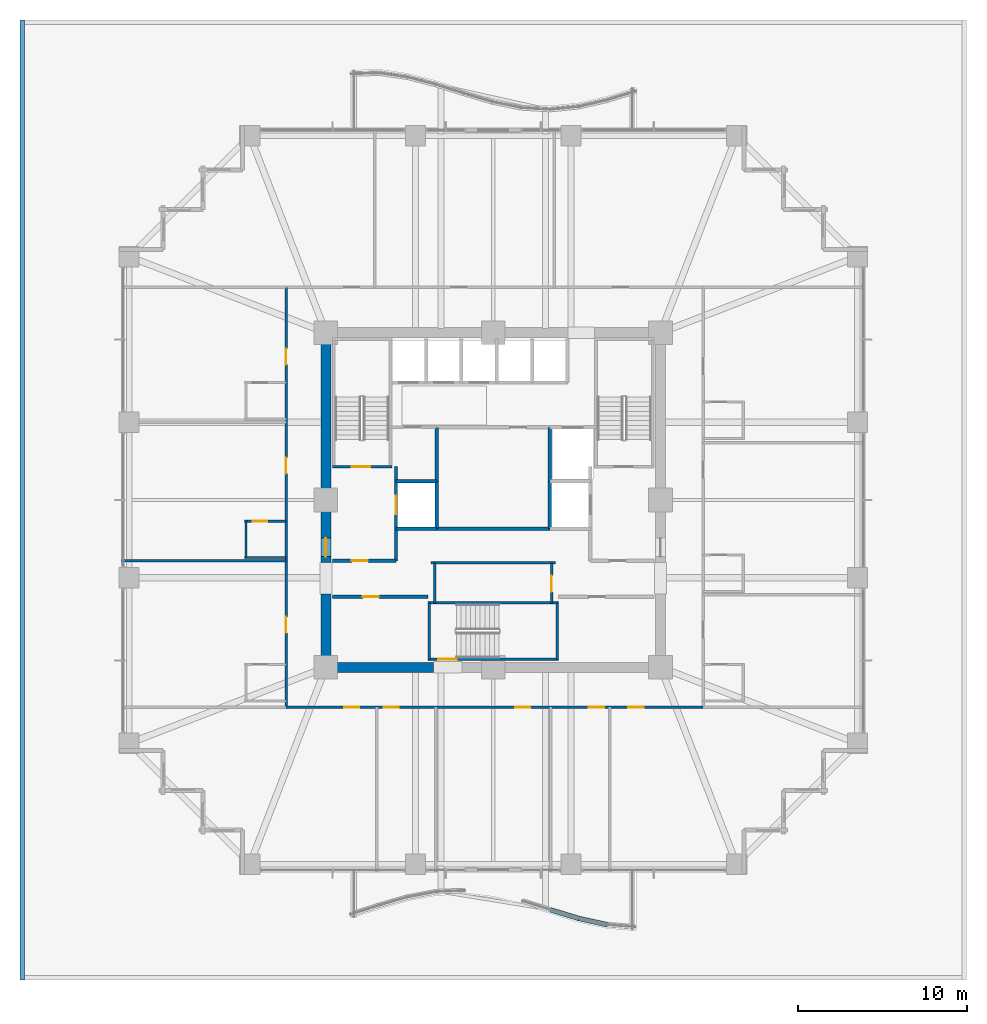
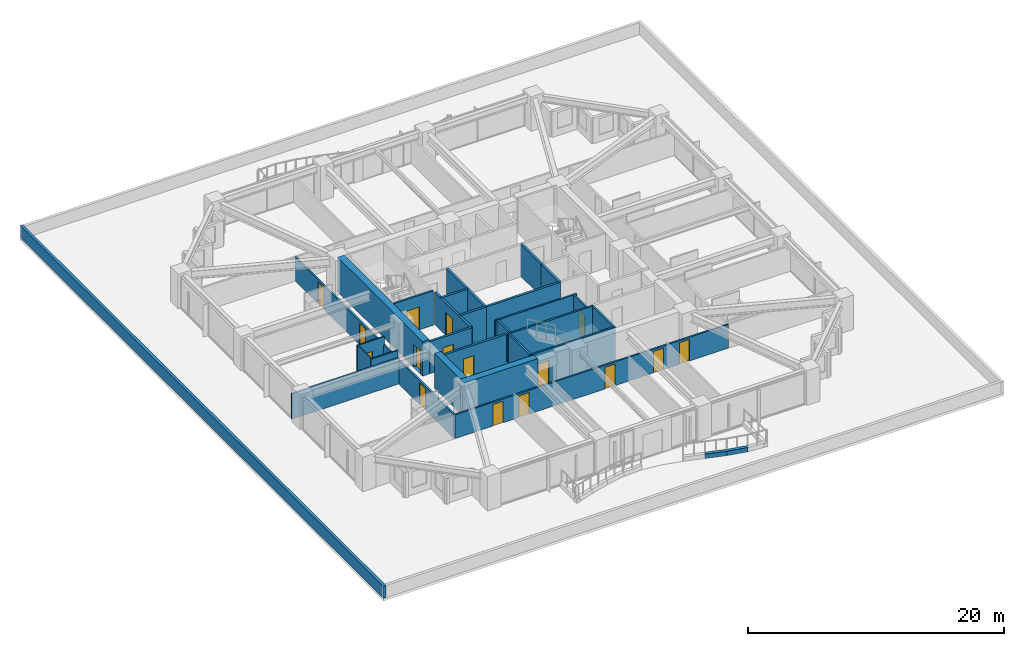
# One storey, part 31 of 36: 30 walls, 16 doors, 16 openings.
"""IFC4 building model written with IfcOpenShell, lengths in metres."""

from ifc_helpers import new_model, si_unit, direction, frame, frame_2d, origin, place, context, subcontext, project, spatial, rectangle, extrude, material, layer, layer_set, type_object, element, fill, save


model = new_model("IFC4")

# Units and contexts
model_context = context("Model", 3, precision=1e-05, world=origin(), true_north=direction((0.0, 1.0)))
body_context = subcontext(model_context, "Body", "Model", "MODEL_VIEW")
ifc_project = project(units=[si_unit("LENGTHUNIT", "METRE"), si_unit("AREAUNIT", "SQUARE_METRE"), si_unit("VOLUMEUNIT", "CUBIC_METRE"), si_unit("PLANEANGLEUNIT", "RADIAN"), si_unit("MASSUNIT", "GRAM", prefix="KILO")], contexts=[model_context])

# Site, building, storey
site_placement = place(None, origin())
site = spatial("IfcSite", under=ifc_project, at=site_placement, CompositionType="ELEMENT")
building_placement = place(site_placement, origin())
building = spatial("IfcBuilding", under=site, at=building_placement, Name="Kolvaren Belvedere", CompositionType="ELEMENT")
storey_placement = place(building_placement, frame((0.0, 0.0, 23.800048828125)))
storey = spatial("IfcBuildingStorey", under=building, at=storey_placement, Name="L06", CompositionType="ELEMENT", Elevation=23.800048828125)

# Walls
ifc_material_1 = material(Name="Concrete C60/75", Category="concrete")
ifc_layer_1 = layer(ifc_material_1, 0.60009765625)
ifc_layer_set_1 = layer_set([ifc_layer_1], Name="Concrete C60/75")
wall_type_1 = type_object("IfcWallType", Name="CW-CORE-600", PredefinedType="SHEAR", material=ifc_layer_set_1)
wall_1_placement = place(storey_placement, frame((-3.5400390625, -9.89990234375, 0.0), z_axis=(0.0, 0.0, 1.0), x_axis=(-1.0, 0.0, 0.0)))
element("IfcWall", 1, at=wall_1_placement, inside=storey, type_object=wall_type_1, Name="L06 South Core Shear Wall 2", PredefinedType="SHEAR", context=body_context, shape_type="SweptSolid", body=[
    extrude(rectangle(XDim=6.659912109375, YDim=0.60009765625, at=frame_2d((3.330078125, 0.0))), origin(), (0.0, 0.0, 1.0), 3.300048828125),
])
wall_2_placement = place(storey_placement, frame((-9.89990234375, -9.60009765625, 0.0), z_axis=(0.0, 0.0, 1.0), x_axis=(0.0, 1.0, 0.0)))
element("IfcWall", 2, at=wall_2_placement, inside=storey, type_object=wall_type_1, Name="L06 West Core Shear Wall 1", PredefinedType="SHEAR", context=body_context, shape_type="SweptSolid", body=[
    extrude(rectangle(XDim=4.050048828125, YDim=0.60009765625, at=frame_2d((2.02490234375, 0.0))), origin(), (0.0, 0.0, 1.0), 3.300048828125),
])

# Wall, opening, door
wall_3_placement = place(storey_placement, frame((-9.89990234375, -3.699951171875, 0.0), z_axis=(0.0, 0.0, 1.0), x_axis=(0.0, 1.0, 0.0)))
wall_3 = element("IfcWall", 3, at=wall_3_placement, inside=storey, type_object=wall_type_1, Name="L06 West Core Shear Wall 2", PredefinedType="SHEAR", context=body_context, shape_type="SweptSolid", body=[
    extrude(rectangle(XDim=13.300048828125, YDim=0.60009765625, at=frame_2d((6.64990234375, 0.0))), origin(), (0.0, 0.0, 1.0), 3.300048828125),
])
opening_1_placement = place(wall_3_placement, frame((0.35009765625, 0.0, 0.0)))
opening_1 = element("IfcOpeningElement", 4, at=opening_1_placement, cuts=wall_3, Name="Opening D-FD90", PredefinedType="OPENING", context=body_context, shape_type="SweptSolid", body=[
    extrude(rectangle(XDim=1.10009765625, YDim=2.199951171875, at=frame_2d((0.550048828125, 1.10009765625))), frame((0.0, 0.31005859375, 0.0), z_axis=(0.0, -1.0, 0.0), x_axis=(1.0, 0.0, 0.0)), (0.0, 0.0, 1.0), 0.6201171875),
])
ifc_material_2 = material(Name="Painted hollow stainless steel", Category="steel")
door_type_1 = type_object("IfcDoorType", Name="DR-FD90-1100", OperationType="NOTDEFINED", PredefinedType="DOOR", material=ifc_material_2)
door_1_placement = place(opening_1_placement, origin())
door_1 = element("IfcDoor", 5, at=door_1_placement, inside=storey, type_object=door_type_1, Name="L06 West Firefighting Lobby Fire Door", OperationType="SINGLE_SWING_LEFT", OverallHeight=2.199951171875, OverallWidth=1.10009765625, PredefinedType="DOOR", context=body_context, shape_type="SweptSolid", body=[
    extrude(rectangle(XDim=1.10009765625, YDim=2.199951171875, at=frame_2d((0.550048828125, 1.10009765625))), frame((0.0, 0.02490234375, 0.0), z_axis=(0.0, -1.0, 0.0), x_axis=(1.0, 0.0, 0.0)), (0.0, 0.0, 1.0), 0.050048828125),
])
fill(opening_1, door_1)

ifc_material_3 = material(Name="Concrete C50/60", Category="concrete")
ifc_layer_2 = layer(ifc_material_3, 0.159912109375)
ifc_layer_set_2 = layer_set([ifc_layer_2], Name="Concrete C50/60")
wall_type_2 = type_object("IfcWallType", Name="CW-STAIR-160", PredefinedType="SHEAR", material=ifc_layer_set_2)
wall_4_placement = place(storey_placement, frame((-9.52001953125, 1.969970703125, 0.0), z_axis=(0.0, 0.0, 1.0), x_axis=(1.0, 0.0, 0.0)))
wall_4 = element("IfcWall", 6, at=wall_4_placement, inside=storey, type_object=wall_type_2, Name="L06 Stair ST-1 South Shear Wall", PredefinedType="SHEAR", context=body_context, shape_type="SweptSolid", body=[
    extrude(rectangle(XDim=3.52001953125, YDim=0.159912109375, at=frame_2d((1.760009765625, 0.0))), origin(), (0.0, 0.0, 1.0), 3.300048828125),
])
opening_2_placement = place(wall_4_placement, frame((1.14990234375, 0.0, 0.0)))
opening_2 = element("IfcOpeningElement", 7, at=opening_2_placement, cuts=wall_4, Name="Opening D-FD90", PredefinedType="OPENING", context=body_context, shape_type="SweptSolid", body=[
    extrude(rectangle(XDim=1.10009765625, YDim=2.199951171875, at=frame_2d((0.550048828125, 1.10009765625))), frame((0.0, 0.08984375, 0.0), z_axis=(0.0, -1.0, 0.0), x_axis=(1.0, 0.0, 0.0)), (0.0, 0.0, 1.0), 0.179931640625),
])
door_2_placement = place(opening_2_placement, origin())
door_2 = element("IfcDoor", 8, at=door_2_placement, inside=storey, type_object=door_type_1, Name="L06 Stair ST-1 Fire Door", OperationType="SINGLE_SWING_LEFT", OverallHeight=2.199951171875, OverallWidth=1.10009765625, PredefinedType="DOOR", context=body_context, shape_type="SweptSolid", body=[
    extrude(rectangle(XDim=1.10009765625, YDim=2.199951171875, at=frame_2d((0.550048828125, 1.10009765625))), frame((0.0, 0.02490234375, 0.0), z_axis=(0.0, -1.0, 0.0), x_axis=(1.0, 0.0, 0.0)), (0.0, 0.0, 1.0), 0.050048828125),
])
fill(opening_2, door_2)

wall_5_placement = place(storey_placement, frame((3.860107421875, -9.429931640625, 0.0), z_axis=(0.0, 0.0, 1.0), x_axis=(-1.0, 0.0, 0.0)))
wall_5 = element("IfcWall", 9, at=wall_5_placement, inside=storey, type_object=wall_type_2, Name="L06 Stair ST-3 South Shear Wall", PredefinedType="SHEAR", context=body_context, shape_type="SweptSolid", body=[
    extrude(rectangle(XDim=7.72021484375, YDim=0.159912109375, at=frame_2d((3.860107421875, 0.0))), origin(), (0.0, 0.0, 1.0), 3.300048828125),
])
opening_3_placement = place(wall_5_placement, frame((6.010009765625, 0.0, 0.0)))
opening_3 = element("IfcOpeningElement", 10, at=opening_3_placement, cuts=wall_5, Name="Opening D-FD90", PredefinedType="OPENING", context=body_context, shape_type="SweptSolid", body=[
    extrude(rectangle(XDim=1.10009765625, YDim=2.199951171875, at=frame_2d((0.550048828125, 1.10009765625))), frame((0.0, 0.08984375, 0.0), z_axis=(0.0, -1.0, 0.0), x_axis=(1.0, 0.0, 0.0)), (0.0, 0.0, 1.0), 0.179931640625),
])
door_3_placement = place(opening_3_placement, origin())
door_3 = element("IfcDoor", 11, at=door_3_placement, inside=storey, type_object=door_type_1, Name="L06 Stair ST-3 Exit Door", OperationType="SINGLE_SWING_RIGHT", OverallHeight=2.199951171875, OverallWidth=1.10009765625, PredefinedType="DOOR", context=body_context, shape_type="SweptSolid", body=[
    extrude(rectangle(XDim=1.10009765625, YDim=2.199951171875, at=frame_2d((0.550048828125, 1.10009765625))), frame((0.0, 0.02490234375, 0.0), z_axis=(0.0, -1.0, 0.0), x_axis=(1.0, 0.0, 0.0)), (0.0, 0.0, 1.0), 0.050048828125),
])
fill(opening_3, door_3)

# Walls
wall_6_placement = place(storey_placement, frame((-3.860107421875, -6.080078125, 0.0), z_axis=(0.0, 0.0, 1.0), x_axis=(1.0, 0.0, 0.0)))
element("IfcWall", 12, at=wall_6_placement, inside=storey, type_object=wall_type_2, Name="L06 Stair ST-3 North Shear Wall", PredefinedType="SHEAR", context=body_context, shape_type="SweptSolid", body=[
    extrude(rectangle(XDim=7.72021484375, YDim=0.159912109375, at=frame_2d((3.860107421875, 0.0))), origin(), (0.0, 0.0, 1.0), 3.300048828125),
])
for number, where, z_axis, x_axis, name in (
    (13, (-3.780029296875, -9.429931640625, 0.0), (0.0, 0.0, 1.0), (0.0, 1.0, 0.0), "L06 Stair ST-3 West Shear Wall"),
    (14, (3.780029296875, -9.429931640625, 0.0), (0.0, 0.0, 1.0), (0.0, 1.0, 0.0), "L06 Stair ST-3 East Shear Wall"),
):
    element("IfcWall", number, at=place(storey_placement, frame(where, z_axis=z_axis, x_axis=x_axis)), inside=storey, type_object=wall_type_2, Name=name, PredefinedType="SHEAR", context=body_context, shape_type="SweptSolid", body=[
        extrude(rectangle(XDim=3.349853515625, YDim=0.159912109375, at=frame_2d((1.6748046875, 0.0))), origin(), (0.0, 0.0, 1.0), 3.300048828125),
    ])

# Wall, openings, doors
ifc_material_4 = material(Name="Gypsum fire-rated partition assembly", Category="gypsum")
ifc_layer_3 = layer(ifc_material_4, 0.14990234375)
ifc_layer_set_3 = layer_set([ifc_layer_3], Name="Gypsum fire-rated partition assembly")
wall_type_3 = type_object("IfcWallType", Name="WL-CORR-150", PredefinedType="PARTITIONING", material=ifc_layer_set_3)
wall_7_placement = place(storey_placement, frame((-12.260009765625, -12.260009765625, 0.0), z_axis=(0.0, 0.0, 1.0), x_axis=(1.0, 0.0, 0.0)))
wall_7 = element("IfcWall", 15, at=wall_7_placement, inside=storey, type_object=wall_type_3, Name="L06 South Corridor Wall", PredefinedType="PARTITIONING", context=body_context, shape_type="SweptSolid", body=[
    extrude(rectangle(XDim=24.679931640625, YDim=0.14990234375, at=frame_2d((12.33984375, 0.0))), origin(), (0.0, 0.0, 1.0), 2.27197265625),
])
opening_4_placement = place(wall_7_placement, frame((3.4443359375, 0.0, 0.0)))
opening_4 = element("IfcOpeningElement", 16, at=opening_4_placement, cuts=wall_7, Name="Opening D-INT90", PredefinedType="OPENING", context=body_context, shape_type="SweptSolid", body=[
    extrude(rectangle(XDim=0.89990234375, YDim=2.06005859375, at=frame_2d((0.449951171875, 1.030029296875))), frame((0.0, 0.0849609375, 0.0), z_axis=(0.0, -1.0, 0.0), x_axis=(1.0, 0.0, 0.0)), (0.0, 0.0, 1.0), 0.169921875),
])
opening_5_placement = place(wall_7_placement, frame((5.779296875, 0.0, 0.0)))
opening_5 = element("IfcOpeningElement", 17, at=opening_5_placement, cuts=wall_7, Name="Opening D-INT90", PredefinedType="OPENING", context=body_context, shape_type="SweptSolid", body=[
    extrude(rectangle(XDim=0.89990234375, YDim=2.06005859375, at=frame_2d((0.449951171875, 1.030029296875))), frame((0.0, 0.0849609375, 0.0), z_axis=(0.0, -1.0, 0.0), x_axis=(1.0, 0.0, 0.0)), (0.0, 0.0, 1.0), 0.169921875),
])
opening_6_placement = place(wall_7_placement, frame((13.551025390625, 0.0, 0.0)))
opening_6 = element("IfcOpeningElement", 18, at=opening_6_placement, cuts=wall_7, Name="Opening D-INT90", PredefinedType="OPENING", context=body_context, shape_type="SweptSolid", body=[
    extrude(rectangle(XDim=0.89990234375, YDim=2.06005859375, at=frame_2d((0.449951171875, 1.030029296875))), frame((0.0, 0.0849609375, 0.0), z_axis=(0.0, -1.0, 0.0), x_axis=(1.0, 0.0, 0.0)), (0.0, 0.0, 1.0), 0.169921875),
])
opening_7_placement = place(wall_7_placement, frame((17.920654296875, 0.0, 0.0)))
opening_7 = element("IfcOpeningElement", 19, at=opening_7_placement, cuts=wall_7, Name="Opening D-INT90", PredefinedType="OPENING", context=body_context, shape_type="SweptSolid", body=[
    extrude(rectangle(XDim=0.89990234375, YDim=2.06005859375, at=frame_2d((0.449951171875, 1.030029296875))), frame((0.0, 0.0849609375, 0.0), z_axis=(0.0, -1.0, 0.0), x_axis=(1.0, 0.0, 0.0)), (0.0, 0.0, 1.0), 0.169921875),
])
opening_8_placement = place(wall_7_placement, frame((20.255615234375, 0.0, 0.0)))
opening_8 = element("IfcOpeningElement", 20, at=opening_8_placement, cuts=wall_7, Name="Opening D-INT90", PredefinedType="OPENING", context=body_context, shape_type="SweptSolid", body=[
    extrude(rectangle(XDim=0.89990234375, YDim=2.06005859375, at=frame_2d((0.449951171875, 1.030029296875))), frame((0.0, 0.0849609375, 0.0), z_axis=(0.0, -1.0, 0.0), x_axis=(1.0, 0.0, 0.0)), (0.0, 0.0, 1.0), 0.169921875),
])
ifc_material_5 = material(Name="Stained Pacific white oak", Category="timber")
door_type_2 = type_object("IfcDoorType", Name="DR-INT-900", OperationType="NOTDEFINED", PredefinedType="DOOR", material=ifc_material_5)
door_4_placement = place(opening_4_placement, origin())
door_4 = element("IfcDoor", 21, at=door_4_placement, inside=storey, type_object=door_type_2, Name="L06 Lounge 601 Door", OperationType="SINGLE_SWING_LEFT", OverallHeight=2.06005859375, OverallWidth=0.89990234375, PredefinedType="DOOR", context=body_context, shape_type="SweptSolid", body=[
    extrude(rectangle(XDim=0.89990234375, YDim=2.06005859375, at=frame_2d((0.449951171875, 1.030029296875))), frame((0.0, 0.02490234375, 0.0), z_axis=(0.0, -1.0, 0.0), x_axis=(1.0, 0.0, 0.0)), (0.0, 0.0, 1.0), 0.050048828125),
])
fill(opening_4, door_4)
door_5_placement = place(opening_5_placement, origin())
door_5 = element("IfcDoor", 22, at=door_5_placement, inside=storey, type_object=door_type_2, Name="L06 Guest Tea & Espresso Kitchen 602 Door", OperationType="SINGLE_SWING_RIGHT", OverallHeight=2.06005859375, OverallWidth=0.89990234375, PredefinedType="DOOR", context=body_context, shape_type="SweptSolid", body=[
    extrude(rectangle(XDim=0.89990234375, YDim=2.06005859375, at=frame_2d((0.449951171875, 1.030029296875))), frame((0.0, 0.02490234375, 0.0), z_axis=(0.0, -1.0, 0.0), x_axis=(1.0, 0.0, 0.0)), (0.0, 0.0, 1.0), 0.050048828125),
])
fill(opening_5, door_5)
door_6_placement = place(opening_6_placement, origin())
door_6 = element("IfcDoor", 23, at=door_6_placement, inside=storey, type_object=door_type_2, Name="L06 Private Hospitality Meeting Room 603 Door", OperationType="SINGLE_SWING_LEFT", OverallHeight=2.06005859375, OverallWidth=0.89990234375, PredefinedType="DOOR", context=body_context, shape_type="SweptSolid", body=[
    extrude(rectangle(XDim=0.89990234375, YDim=2.06005859375, at=frame_2d((0.449951171875, 1.030029296875))), frame((0.0, 0.02490234375, 0.0), z_axis=(0.0, -1.0, 0.0), x_axis=(1.0, 0.0, 0.0)), (0.0, 0.0, 1.0), 0.050048828125),
])
fill(opening_6, door_6)
door_7_placement = place(opening_7_placement, origin())
door_7 = element("IfcDoor", 24, at=door_7_placement, inside=storey, type_object=door_type_2, Name="L06 Botanical Reading Salon 604 Door", OperationType="SINGLE_SWING_RIGHT", OverallHeight=2.06005859375, OverallWidth=0.89990234375, PredefinedType="DOOR", context=body_context, shape_type="SweptSolid", body=[
    extrude(rectangle(XDim=0.89990234375, YDim=2.06005859375, at=frame_2d((0.449951171875, 1.030029296875))), frame((0.0, 0.02490234375, 0.0), z_axis=(0.0, -1.0, 0.0), x_axis=(1.0, 0.0, 0.0)), (0.0, 0.0, 1.0), 0.050048828125),
])
fill(opening_7, door_7)
door_8_placement = place(opening_8_placement, origin())
door_8 = element("IfcDoor", 25, at=door_8_placement, inside=storey, type_object=door_type_2, Name="L06 Lounge 605 Door", OperationType="SINGLE_SWING_LEFT", OverallHeight=2.06005859375, OverallWidth=0.89990234375, PredefinedType="DOOR", context=body_context, shape_type="SweptSolid", body=[
    extrude(rectangle(XDim=0.89990234375, YDim=2.06005859375, at=frame_2d((0.449951171875, 1.030029296875))), frame((0.0, 0.02490234375, 0.0), z_axis=(0.0, -1.0, 0.0), x_axis=(1.0, 0.0, 0.0)), (0.0, 0.0, 1.0), 0.050048828125),
])
fill(opening_8, door_8)

wall_8_placement = place(storey_placement, frame((-12.260009765625, -12.260009765625, 0.0), z_axis=(0.0, 0.0, 1.0), x_axis=(0.0, 1.0, 0.0)))
wall_8 = element("IfcWall", 26, at=wall_8_placement, inside=storey, type_object=wall_type_3, Name="L06 West Corridor Wall", PredefinedType="PARTITIONING", context=body_context, shape_type="SweptSolid", body=[
    extrude(rectangle(XDim=24.840087890625, YDim=0.14990234375, at=frame_2d((12.419921875, 0.0))), origin(), (0.0, 0.0, 1.0), 2.27197265625),
])
opening_9_placement = place(wall_8_placement, frame((4.39453125, 0.0, 0.0)))
opening_9 = element("IfcOpeningElement", 27, at=opening_9_placement, cuts=wall_8, Name="Opening D-FD60", PredefinedType="OPENING", context=body_context, shape_type="SweptSolid", body=[
    extrude(rectangle(XDim=0.949951171875, YDim=2.06005859375, at=frame_2d((0.47509765625, 1.030029296875))), frame((0.0, 0.0849609375, 0.0), z_axis=(0.0, -1.0, 0.0), x_axis=(1.0, 0.0, 0.0)), (0.0, 0.0, 1.0), 0.169921875),
])
opening_10_placement = place(wall_8_placement, frame((13.81494140625, 0.0, 0.0)))
opening_10 = element("IfcOpeningElement", 28, at=opening_10_placement, cuts=wall_8, Name="Opening D-FD60", PredefinedType="OPENING", context=body_context, shape_type="SweptSolid", body=[
    extrude(rectangle(XDim=0.949951171875, YDim=2.06005859375, at=frame_2d((0.47509765625, 1.030029296875))), frame((0.0, 0.0849609375, 0.0), z_axis=(0.0, -1.0, 0.0), x_axis=(1.0, 0.0, 0.0)), (0.0, 0.0, 1.0), 0.169921875),
])
opening_11_placement = place(wall_8_placement, frame((20.267578125, 0.0, 0.0)))
opening_11 = element("IfcOpeningElement", 29, at=opening_11_placement, cuts=wall_8, Name="Opening D-FD60", PredefinedType="OPENING", context=body_context, shape_type="SweptSolid", body=[
    extrude(rectangle(XDim=0.949951171875, YDim=2.06005859375, at=frame_2d((0.47509765625, 1.030029296875))), frame((0.0, 0.0849609375, 0.0), z_axis=(0.0, -1.0, 0.0), x_axis=(1.0, 0.0, 0.0)), (0.0, 0.0, 1.0), 0.169921875),
])
ifc_material_6 = material(Name="Acoustic white-oak fire door leaf", Category="timber")
door_type_3 = type_object("IfcDoorType", Name="DR-FD60-950", OperationType="NOTDEFINED", PredefinedType="DOOR", material=ifc_material_6)
door_9_placement = place(opening_9_placement, origin())
door_9 = element("IfcDoor", 30, at=door_9_placement, inside=storey, type_object=door_type_3, Name="L06 Panoramic Corner Hospitality Suite 609 Entry Door", OperationType="SINGLE_SWING_LEFT", OverallHeight=2.06005859375, OverallWidth=0.949951171875, PredefinedType="DOOR", context=body_context, shape_type="SweptSolid", body=[
    extrude(rectangle(XDim=0.949951171875, YDim=2.06005859375, at=frame_2d((0.47509765625, 1.030029296875))), frame((0.0, 0.02490234375, 0.0), z_axis=(0.0, -1.0, 0.0), x_axis=(1.0, 0.0, 0.0)), (0.0, 0.0, 1.0), 0.050048828125),
])
fill(opening_9, door_9)
door_10_placement = place(opening_10_placement, origin())
door_10 = element("IfcDoor", 31, at=door_10_placement, inside=storey, type_object=door_type_3, Name="L06 Panoramic Corner Hospitality Suite 610 Entry Door", OperationType="SINGLE_SWING_LEFT", OverallHeight=2.06005859375, OverallWidth=0.949951171875, PredefinedType="DOOR", context=body_context, shape_type="SweptSolid", body=[
    extrude(rectangle(XDim=0.949951171875, YDim=2.06005859375, at=frame_2d((0.47509765625, 1.030029296875))), frame((0.0, 0.02490234375, 0.0), z_axis=(0.0, -1.0, 0.0), x_axis=(1.0, 0.0, 0.0)), (0.0, 0.0, 1.0), 0.050048828125),
])
fill(opening_10, door_10)
door_11_placement = place(opening_11_placement, origin())
door_11 = element("IfcDoor", 32, at=door_11_placement, inside=storey, type_object=door_type_3, Name="L06 Panoramic Corner Hospitality Suite 611 Entry Door", OperationType="SINGLE_SWING_LEFT", OverallHeight=2.06005859375, OverallWidth=0.949951171875, PredefinedType="DOOR", context=body_context, shape_type="SweptSolid", body=[
    extrude(rectangle(XDim=0.949951171875, YDim=2.06005859375, at=frame_2d((0.47509765625, 1.030029296875))), frame((0.0, 0.02490234375, 0.0), z_axis=(0.0, -1.0, 0.0), x_axis=(1.0, 0.0, 0.0)), (0.0, 0.0, 1.0), 0.050048828125),
])
fill(opening_11, door_11)

# Walls
ifc_material_7 = material(Name="Precast concrete C40/50", Category="concrete")
ifc_layer_4 = layer(ifc_material_7, 0.25)
ifc_layer_set_4 = layer_set([ifc_layer_4], Name="Precast concrete C40/50")
wall_type_4 = type_object("IfcWallType", Name="WL-PARAPET-250", PredefinedType="PARAPET", material=ifc_layer_set_4)
wall_9_placement = place(storey_placement, frame((-27.8701171875, -28.39990234375, 0.0), z_axis=(0.0, 0.0, 1.0), x_axis=(0.0, 1.0, 0.0)))
element("IfcWall", 33, at=wall_9_placement, inside=storey, type_object=wall_type_4, Name="L06 Podium Setback Roof Parapet 4", PredefinedType="PARAPET", context=body_context, shape_type="SweptSolid", body=[
    extrude(rectangle(XDim=56.7998046875, YDim=0.25, at=frame_2d((28.39990234375, 0.0))), origin(), (0.0, 0.0, 1.0), 1.14990234375),
])
ifc_material_8 = material(Name="Gypsum acoustic partition assembly", Category="gypsum")
ifc_layer_5 = layer(ifc_material_8, 0.14990234375)
ifc_layer_set_5 = layer_set([ifc_layer_5], Name="Gypsum acoustic partition assembly")
wall_type_5 = type_object("IfcWallType", Name="WL-PART-150", PredefinedType="PARTITIONING", material=ifc_layer_set_5)
wall_10_placement = place(storey_placement, frame((-3.679931640625, -3.719970703125, 0.0), z_axis=(0.0, 0.0, 1.0), x_axis=(1.0, 0.0, 0.0)))
element("IfcWall", 34, at=wall_10_placement, inside=storey, type_object=wall_type_5, Name="L06 South Core Service North Wall", PredefinedType="PARTITIONING", context=body_context, shape_type="SweptSolid", body=[
    extrude(rectangle(XDim=7.35986328125, YDim=0.14990234375, at=frame_2d((3.679931640625, 0.0))), origin(), (0.0, 0.0, 1.0), 3.06005859375),
])

# Wall, opening, door
wall_11_placement = place(storey_placement, frame((3.449951171875, -6.080078125, 0.0), z_axis=(0.0, 0.0, 1.0), x_axis=(0.0, 1.0, 0.0)))
wall_11 = element("IfcWall", 35, at=wall_11_placement, inside=storey, type_object=wall_type_5, Name="L06 South Core Service East Wall", PredefinedType="PARTITIONING", context=body_context, shape_type="SweptSolid", body=[
    extrude(rectangle(XDim=2.360107421875, YDim=0.14990234375, at=frame_2d((1.18017578125, 0.0))), origin(), (0.0, 0.0, 1.0), 3.06005859375),
])
opening_12_placement = place(wall_11_placement, frame((0.64990234375, 0.0, 0.0)))
opening_12 = element("IfcOpeningElement", 36, at=opening_12_placement, cuts=wall_11, Name="Opening D-FD60", PredefinedType="OPENING", context=body_context, shape_type="SweptSolid", body=[
    extrude(rectangle(XDim=0.949951171875, YDim=2.06005859375, at=frame_2d((0.47509765625, 1.030029296875))), frame((0.0, 0.0849609375, 0.0), z_axis=(0.0, -1.0, 0.0), x_axis=(1.0, 0.0, 0.0)), (0.0, 0.0, 1.0), 0.169921875),
])
door_12_placement = place(opening_12_placement, origin())
door_12 = element("IfcDoor", 37, at=door_12_placement, inside=storey, type_object=door_type_3, Name="L06 Core Service Room Door", OperationType="SINGLE_SWING_LEFT", OverallHeight=2.06005859375, OverallWidth=0.949951171875, PredefinedType="DOOR", context=body_context, shape_type="SweptSolid", body=[
    extrude(rectangle(XDim=0.949951171875, YDim=2.06005859375, at=frame_2d((0.47509765625, 1.030029296875))), frame((0.0, 0.02490234375, 0.0), z_axis=(0.0, -1.0, 0.0), x_axis=(1.0, 0.0, 0.0)), (0.0, 0.0, 1.0), 0.050048828125),
])
fill(opening_12, door_12)

# Walls
wall_12_placement = place(storey_placement, frame((-3.449951171875, -6.080078125, 0.0), z_axis=(0.0, 0.0, 1.0), x_axis=(0.0, 1.0, 0.0)))
element("IfcWall", 38, at=wall_12_placement, inside=storey, type_object=wall_type_5, Name="L06 South Core Service West Wall", PredefinedType="PARTITIONING", context=body_context, shape_type="SweptSolid", body=[
    extrude(rectangle(XDim=2.360107421875, YDim=0.14990234375, at=frame_2d((1.18017578125, 0.0))), origin(), (0.0, 0.0, 1.0), 3.06005859375),
])
wall_13_placement = place(storey_placement, frame((-21.97998046875, -3.60009765625, 0.0), z_axis=(0.0, 0.0, 1.0), x_axis=(1.0, 0.0, 0.0)))
element("IfcWall", 39, at=wall_13_placement, inside=storey, type_object=wall_type_5, Name="L06 West Suite Demising Wall 1", PredefinedType="PARTITIONING", context=body_context, shape_type="SweptSolid", body=[
    extrude(rectangle(XDim=9.719970703125, YDim=0.14990234375, at=frame_2d((4.85986328125, 0.0))), origin(), (0.0, 0.0, 1.0), 2.428955078125),
])
ifc_material_9 = material(Name="Precast concrete C40/50", Category="concrete")
ifc_layer_6 = layer(ifc_material_9, 0.300048828125)
ifc_layer_set_6 = layer_set([ifc_layer_6], Name="Precast concrete C40/50")
wall_type_6 = type_object("IfcWallType", Name="WL-PLANTER-300", PredefinedType="PARAPET", material=ifc_layer_set_6)
wall_14_placement = place(storey_placement, frame((3.406494140625, -24.254638671875, -0.06005859375), z_axis=(0.0, 0.0, 1.0), x_axis=(0.956732787823, -0.290967992577, 0.0)))
element("IfcWall", 40, at=wall_14_placement, inside=storey, type_object=wall_type_6, Name="L06 Precast Structural Planter Wall BAL-S-8", PredefinedType="PARAPET", context=body_context, shape_type="SweptSolid", body=[
    extrude(rectangle(XDim=1.756103515625, YDim=0.280029296875, at=frame_2d((0.8779296875, 0.0))), origin(), (0.0, 0.0, 1.0), 0.419921875),
])
wall_15_placement = place(storey_placement, frame((5.07421875, -24.762451171875, -0.06005859375), z_axis=(0.0, 0.0, 1.0), x_axis=(0.976876857632, -0.213802724545, 0.0)))
element("IfcWall", 41, at=wall_15_placement, inside=storey, type_object=wall_type_6, Name="L06 Precast Structural Planter Wall BAL-S-9", PredefinedType="PARAPET", context=body_context, shape_type="SweptSolid", body=[
    extrude(rectangle(XDim=1.7197265625, YDim=0.280029296875, at=frame_2d((0.85986328125, 0.0))), origin(), (0.0, 0.0, 1.0), 0.419921875),
])

# Wall, opening, door
ifc_material_10 = material(Name="Concrete C50/60", Category="concrete")
ifc_layer_7 = layer(ifc_material_10, 0.199951171875)
ifc_layer_set_7 = layer_set([ifc_layer_7], Name="Concrete C50/60")
wall_type_7 = type_object("IfcWallType", Name="WL-SHAFT-200", PredefinedType="SOLIDWALL", material=ifc_layer_set_7)
wall_16_placement = place(storey_placement, frame((-9.52001953125, -3.60009765625, 0.0), z_axis=(0.0, 0.0, 1.0), x_axis=(1.0, 0.0, 0.0)))
wall_16 = element("IfcWall", 42, at=wall_16_placement, inside=storey, type_object=wall_type_7, Name="L06 West FSAE Lobby South Wall", PredefinedType="SOLIDWALL", context=body_context, shape_type="SweptSolid", body=[
    extrude(rectangle(XDim=3.77001953125, YDim=0.199951171875, at=frame_2d((1.885009765625, 0.0))), origin(), (0.0, 0.0, 1.0), 3.06005859375),
])
opening_13_placement = place(wall_16_placement, frame((1.14990234375, 0.0, 0.0)))
opening_13 = element("IfcOpeningElement", 43, at=opening_13_placement, cuts=wall_16, Name="Opening D-FD60", PredefinedType="OPENING", context=body_context, shape_type="SweptSolid", body=[
    extrude(rectangle(XDim=0.949951171875, YDim=2.06005859375, at=frame_2d((0.47509765625, 1.030029296875))), frame((0.0, 0.10986328125, 0.0), z_axis=(0.0, -1.0, 0.0), x_axis=(1.0, 0.0, 0.0)), (0.0, 0.0, 1.0), 0.219970703125),
])
door_13_placement = place(opening_13_placement, origin())
door_13 = element("IfcDoor", 44, at=door_13_placement, inside=storey, type_object=door_type_3, Name="L06 SW Lift Lobby Fire Door", OperationType="SINGLE_SWING_LEFT", OverallHeight=2.06005859375, OverallWidth=0.949951171875, PredefinedType="DOOR", context=body_context, shape_type="SweptSolid", body=[
    extrude(rectangle(XDim=0.949951171875, YDim=2.06005859375, at=frame_2d((0.47509765625, 1.030029296875))), frame((0.0, 0.02490234375, 0.0), z_axis=(0.0, -1.0, 0.0), x_axis=(1.0, 0.0, 0.0)), (0.0, 0.0, 1.0), 0.050048828125),
])
fill(opening_13, door_13)

wall_17_placement = place(storey_placement, frame((-5.75, -3.60009765625, 0.0), z_axis=(0.0, 0.0, 1.0), x_axis=(0.0, 1.0, 0.0)))
wall_17 = element("IfcWall", 45, at=wall_17_placement, inside=storey, type_object=wall_type_7, Name="L06 FSAE FS1 Landing Wall", PredefinedType="SOLIDWALL", context=body_context, shape_type="SweptSolid", body=[
    extrude(rectangle(XDim=5.570068359375, YDim=0.199951171875, at=frame_2d((2.78515625, 0.0))), origin(), (0.0, 0.0, 1.0), 3.06005859375),
])
opening_14_placement = place(wall_17_placement, frame((2.75, 0.0, 0.0)))
opening_14 = element("IfcOpeningElement", 46, at=opening_14_placement, cuts=wall_17, Name="Opening LD-11", PredefinedType="OPENING", context=body_context, shape_type="SweptSolid", body=[
    extrude(rectangle(XDim=1.10009765625, YDim=2.199951171875, at=frame_2d((0.550048828125, 1.10009765625))), frame((0.0, 0.10986328125, 0.0), z_axis=(0.0, -1.0, 0.0), x_axis=(1.0, 0.0, 0.0)), (0.0, 0.0, 1.0), 0.219970703125),
])
ifc_material_11 = material(Name="Brushed stainless steel", Category="steel")
door_type_4 = type_object("IfcDoorType", Name="DR-LIFT-1100", OperationType="DOUBLE_DOOR_SLIDING", PredefinedType="DOOR", material=ifc_material_11)
door_14_placement = place(opening_14_placement, origin())
door_14 = element("IfcDoor", 47, at=door_14_placement, inside=storey, type_object=door_type_4, Name="L06 Firefighting Lift FS1 Landing Door", OperationType="DOUBLE_DOOR_SLIDING", OverallHeight=2.199951171875, OverallWidth=1.10009765625, PredefinedType="DOOR", context=body_context, shape_type="SweptSolid", body=[
    extrude(rectangle(XDim=1.10009765625, YDim=2.199951171875, at=frame_2d((0.550048828125, 1.10009765625))), frame((0.0, 0.02490234375, 0.0), z_axis=(0.0, -1.0, 0.0), x_axis=(1.0, 0.0, 0.0)), (0.0, 0.0, 1.0), 0.050048828125),
])
fill(opening_14, door_14)

# Walls
wall_18_placement = place(storey_placement, frame((-3.35009765625, -1.699951171875, 0.0), z_axis=(0.0, 0.0, 1.0), x_axis=(0.0, 1.0, 0.0)))
element("IfcWall", 48, at=wall_18_placement, inside=storey, type_object=wall_type_7, Name="L06 FSAE FS1 Back Wall", PredefinedType="SOLIDWALL", context=body_context, shape_type="SweptSolid", body=[
    extrude(rectangle(XDim=2.800048828125, YDim=0.199951171875, at=frame_2d((1.39990234375, 0.0))), origin(), (0.0, 0.0, 1.0), 3.06005859375),
])
for number, where, z_axis, x_axis, name in (
    (49, (-5.75, -1.699951171875, 0.0), (0.0, 0.0, 1.0), (1.0, 0.0, 0.0), "L06 FSAE FS1 South Wall"),
    (50, (-5.75, 1.10009765625, 0.0), (0.0, 0.0, 1.0), (1.0, 0.0, 0.0), "L06 FSAE FS1 North Wall"),
):
    element("IfcWall", number, at=place(storey_placement, frame(where, z_axis=z_axis, x_axis=x_axis)), inside=storey, type_object=wall_type_7, Name=name, PredefinedType="SOLIDWALL", context=body_context, shape_type="SweptSolid", body=[
        extrude(rectangle(XDim=2.39990234375, YDim=0.199951171875, at=frame_2d((1.199951171875, 0.0))), origin(), (0.0, 0.0, 1.0), 3.06005859375),
    ])
wall_19_placement = place(storey_placement, frame((3.35009765625, -1.699951171875, 0.0), z_axis=(0.0, 0.0, 1.0), x_axis=(0.0, 1.0, 0.0)))
element("IfcWall", 51, at=wall_19_placement, inside=storey, type_object=wall_type_7, Name="L06 FSAE FS2 Back Wall", PredefinedType="SOLIDWALL", context=body_context, shape_type="SweptSolid", body=[
    extrude(rectangle(XDim=2.800048828125, YDim=0.199951171875, at=frame_2d((1.39990234375, 0.0))), origin(), (0.0, 0.0, 1.0), 3.06005859375),
])

# Wall, opening, door
wall_20_placement = place(storey_placement, frame((-9.52001953125, -5.719970703125, 0.0), z_axis=(0.0, 0.0, 1.0), x_axis=(1.0, 0.0, 0.0)))
wall_20 = element("IfcWall", 52, at=wall_20_placement, inside=storey, type_object=wall_type_7, Name="L06 SW Core Reserve Wall", PredefinedType="SOLIDWALL", context=body_context, shape_type="SweptSolid", body=[
    extrude(rectangle(XDim=5.659912109375, YDim=0.199951171875, at=frame_2d((2.830078125, 0.0))), origin(), (0.0, 0.0, 1.0), 3.06005859375),
])
opening_15_placement = place(wall_20_placement, frame((1.800048828125, 0.0, 0.0)))
opening_15 = element("IfcOpeningElement", 53, at=opening_15_placement, cuts=wall_20, Name="Opening D-FD60", PredefinedType="OPENING", context=body_context, shape_type="SweptSolid", body=[
    extrude(rectangle(XDim=0.949951171875, YDim=2.06005859375, at=frame_2d((0.47509765625, 1.030029296875))), frame((0.0, 0.10986328125, 0.0), z_axis=(0.0, -1.0, 0.0), x_axis=(1.0, 0.0, 0.0)), (0.0, 0.0, 1.0), 0.219970703125),
])
door_15_placement = place(opening_15_placement, origin())
door_15 = element("IfcDoor", 54, at=door_15_placement, inside=storey, type_object=door_type_3, Name="L06 SW Core Room Door", OperationType="SINGLE_SWING_LEFT", OverallHeight=2.06005859375, OverallWidth=0.949951171875, PredefinedType="DOOR", context=body_context, shape_type="SweptSolid", body=[
    extrude(rectangle(XDim=0.949951171875, YDim=2.06005859375, at=frame_2d((0.47509765625, 1.030029296875))), frame((0.0, 0.02490234375, 0.0), z_axis=(0.0, -1.0, 0.0), x_axis=(1.0, 0.0, 0.0)), (0.0, 0.0, 1.0), 0.050048828125),
])
fill(opening_15, door_15)

# Walls
wall_21_placement = place(storey_placement, frame((-3.35009765625, -1.699951171875, 0.0), z_axis=(0.0, 0.0, 1.0), x_axis=(1.0, 0.0, 0.0)))
element("IfcWall", 55, at=wall_21_placement, inside=storey, type_object=wall_type_7, Name="L06 Central Core Room South Wall", PredefinedType="SOLIDWALL", context=body_context, shape_type="SweptSolid", body=[
    extrude(rectangle(XDim=6.7001953125, YDim=0.199951171875, at=frame_2d((3.35009765625, 0.0))), origin(), (0.0, 0.0, 1.0), 3.06005859375),
])
for number, where, z_axis, x_axis, name in (
    (56, (-3.35009765625, 1.10009765625, 0.0), (0.0, 0.0, 1.0), (0.0, 1.0, 0.0), "L06 Central Core Room West Wall"),
    (57, (3.35009765625, 1.10009765625, 0.0), (0.0, 0.0, 1.0), (0.0, 1.0, 0.0), "L06 Central Core Room East Wall"),
):
    element("IfcWall", number, at=place(storey_placement, frame(where, z_axis=z_axis, x_axis=x_axis)), inside=storey, type_object=wall_type_7, Name=name, PredefinedType="SOLIDWALL", context=body_context, shape_type="SweptSolid", body=[
        extrude(rectangle(XDim=3.199951171875, YDim=0.199951171875, at=frame_2d((1.60009765625, 0.0))), origin(), (0.0, 0.0, 1.0), 3.06005859375),
    ])

# Wall, opening, door
ifc_material_12 = material(Name="Moisture-resistant gypsum partition", Category="gypsum")
ifc_layer_8 = layer(ifc_material_12, 0.125)
ifc_layer_set_8 = layer_set([ifc_layer_8], Name="Moisture-resistant gypsum partition")
wall_type_8 = type_object("IfcWallType", Name="WL-WET-125", PredefinedType="PARTITIONING", material=ifc_layer_set_8)
wall_22_placement = place(storey_placement, frame((-14.715087890625, -1.2548828125, 0.0), z_axis=(0.0, 0.0, 1.0), x_axis=(1.0, 0.0, 0.0)))
wall_22 = element("IfcWall", 58, at=wall_22_placement, inside=storey, type_object=wall_type_8, Name="L06 Bathroom Partition PW-L06-BTH-10-N", PredefinedType="PARTITIONING", context=body_context, shape_type="SweptSolid", body=[
    extrude(rectangle(XDim=2.440185546875, YDim=0.125, at=frame_2d((1.22021484375, 0.0))), origin(), (0.0, 0.0, 1.0), 3.06005859375),
])
opening_16_placement = place(wall_22_placement, frame((0.5, 0.0, 0.0)))
opening_16 = element("IfcOpeningElement", 59, at=opening_16_placement, cuts=wall_22, Name="Opening D-BTH85", PredefinedType="OPENING", context=body_context, shape_type="SweptSolid", body=[
    extrude(rectangle(XDim=0.85009765625, YDim=2.030029296875, at=frame_2d((0.425048828125, 1.01513671875))), frame((0.0, 0.072509765625, 0.0), z_axis=(0.0, -1.0, 0.0), x_axis=(1.0, 0.0, 0.0)), (0.0, 0.0, 1.0), 0.14501953125),
])
ifc_material_13 = material(Name="Moisture-sealed Pacific white oak", Category="timber")
door_type_5 = type_object("IfcDoorType", Name="DR-BATH-850", OperationType="NOTDEFINED", PredefinedType="DOOR", material=ifc_material_13)
door_16_placement = place(opening_16_placement, origin())
door_16 = element("IfcDoor", 60, at=door_16_placement, inside=storey, type_object=door_type_5, Name="L06 En-Suite Bathroom 610 Door", OperationType="SINGLE_SWING_RIGHT", OverallHeight=2.030029296875, OverallWidth=0.85009765625, PredefinedType="DOOR", context=body_context, shape_type="SweptSolid", body=[
    extrude(rectangle(XDim=0.85009765625, YDim=2.030029296875, at=frame_2d((0.425048828125, 1.01513671875))), frame((0.0, 0.02490234375, 0.0), z_axis=(0.0, -1.0, 0.0), x_axis=(1.0, 0.0, 0.0)), (0.0, 0.0, 1.0), 0.050048828125),
])
fill(opening_16, door_16)

# Walls
wall_23_placement = place(storey_placement, frame((-14.635009765625, -3.465087890625, 0.0), z_axis=(0.0, 0.0, 1.0), x_axis=(0.0, 1.0, 0.0)))
element("IfcWall", 61, at=wall_23_placement, inside=storey, type_object=wall_type_8, Name="L06 Bathroom Partition PW-L06-BTH-10-V", PredefinedType="PARTITIONING", context=body_context, shape_type="SweptSolid", body=[
    extrude(rectangle(XDim=2.27001953125, YDim=0.125, at=frame_2d((1.135009765625, 0.0))), origin(), (0.0, 0.0, 1.0), 3.06005859375),
])
wall_24_placement = place(storey_placement, frame((-14.715087890625, -3.405029296875, 0.0), z_axis=(0.0, 0.0, 1.0), x_axis=(1.0, 0.0, 0.0)))
element("IfcWall", 62, at=wall_24_placement, inside=storey, type_object=wall_type_8, Name="L06 Bathroom Partition PW-L06-BTH-10-S", PredefinedType="PARTITIONING", context=body_context, shape_type="SweptSolid", body=[
    extrude(rectangle(XDim=2.440185546875, YDim=0.125, at=frame_2d((1.22021484375, 0.0))), origin(), (0.0, 0.0, 1.0), 3.06005859375),
])

save(model, "model.ifc")
